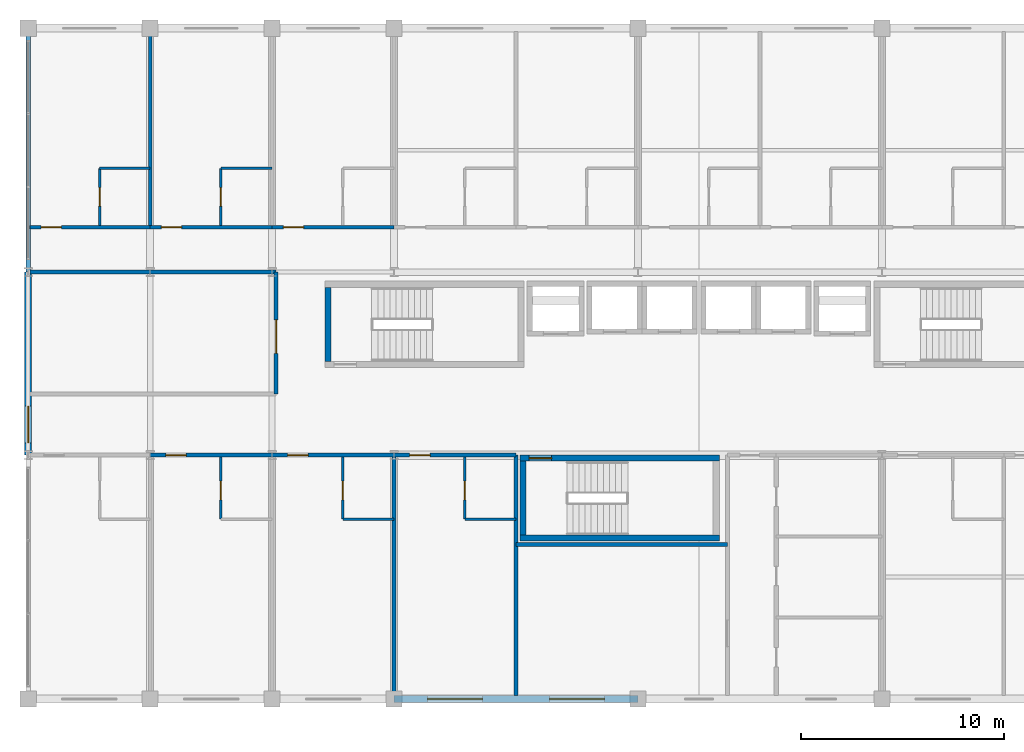
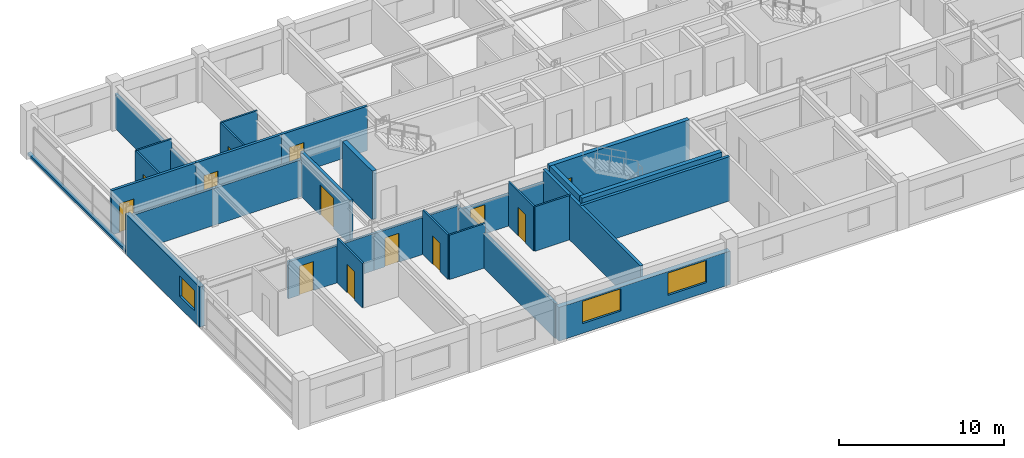
# One storey, part 21 of 26: 28 walls, 13 doors, 3 windows, 16 openings.
"""IFC4 building model written with IfcOpenShell, lengths in metres."""

from ifc_helpers import new_model, si_unit, direction, frame, frame_2d, origin, place, context, subcontext, project, spatial, rectangle, extrude, material, layer, layer_set, type_object, element, fill, save


model = new_model("IFC4")

# Units and contexts
model_context = context("Model", 3, precision=1e-05, world=origin(), true_north=direction((0.0, 1.0)))
body_context = subcontext(model_context, "Body", "Model", "MODEL_VIEW")
ifc_project = project(units=[si_unit("LENGTHUNIT", "METRE"), si_unit("AREAUNIT", "SQUARE_METRE"), si_unit("VOLUMEUNIT", "CUBIC_METRE"), si_unit("PLANEANGLEUNIT", "RADIAN"), si_unit("MASSUNIT", "GRAM", prefix="KILO")], contexts=[model_context])

# Site, building, storey
site_placement = place(None, origin())
site = spatial("IfcSite", under=ifc_project, at=site_placement, CompositionType="ELEMENT")
building_placement = place(site_placement, origin())
building = spatial("IfcBuilding", under=site, at=building_placement, Name="Kaldorvane Square Convention Centre", CompositionType="ELEMENT")
storey_placement = place(building_placement, frame((0.0, 0.0, 45.600006103515625)))
storey = spatial("IfcBuildingStorey", under=building, at=storey_placement, Name="L10", CompositionType="ELEMENT", Elevation=45.600006103515625)

# Wall, opening, door
ifc_material_1 = material(Name="Fire-Rated Gypsum Board on Acoustic Steel Studs", Category="steel")
ifc_layer_1 = layer(ifc_material_1, 0.125)
ifc_layer_set_1 = layer_set([ifc_layer_1], Name="Fire-Rated Gypsum Board on Acoustic Steel Studs")
wall_type_1 = type_object("IfcWallType", Name="WL-BATH-125", PredefinedType="PARTITIONING", material=ifc_layer_set_1)
wall_1_placement = place(storey_placement, frame((27.520004272460938, 107.28999328613281, 0.0), z_axis=(0.0, 0.0, 1.0), x_axis=(0.0, 1.0, 0.0)))
wall_1 = element("IfcWall", 1, at=wall_1_placement, inside=storey, type_object=wall_type_1, Name="En-Suite 1001 West Wall", PredefinedType="PARTITIONING", context=body_context, shape_type="SweptSolid", body=[
    extrude(rectangle(XDim=2.8100128173828125, YDim=0.125, at=frame_2d((1.404998779296875, 0.0))), origin(), (0.0, 0.0, 1.0), 3.2899932861328125),
])
opening_1_placement = place(wall_1_placement, frame((0.9499969482421875, 0.0, 0.0)))
opening_1 = element("IfcOpeningElement", 2, at=opening_1_placement, cuts=wall_1, Name="Opening ID-12", PredefinedType="OPENING", context=body_context, shape_type="SweptSolid", body=[
    extrude(rectangle(XDim=0.9199981689453125, YDim=2.100006103515625, at=frame_2d((0.459991455078125, 1.0500030517578125))), frame((0.0, 0.0774993896484375, 0.0), z_axis=(0.0, -1.0, 0.0), x_axis=(1.0, 0.0, 0.0)), (0.0, 0.0, 1.0), 0.154998779296875),
])
ifc_material_2 = material(Name="Architectural Solid-Core White Oak")
door_type_1 = type_object("IfcDoorType", Name="DR-BATH-0920X2100", OperationType="SINGLE_SWING_RIGHT", PredefinedType="DOOR", material=ifc_material_2)
door_1_placement = place(opening_1_placement, origin())
door_1 = element("IfcDoor", 3, at=door_1_placement, inside=storey, type_object=door_type_1, Name="En-Suite Bathroom 1001 Door", OperationType="SINGLE_SWING_RIGHT", OverallHeight=2.100006103515625, OverallWidth=0.9199981689453125, PredefinedType="DOOR", context=body_context, shape_type="SweptSolid", body=[
    extrude(rectangle(XDim=0.9199981689453125, YDim=2.100006103515625, at=frame_2d((0.459991455078125, 1.0500030517578125))), frame((0.0, 0.024993896484375, 0.0), z_axis=(0.0, -1.0, 0.0), x_axis=(1.0, 0.0, 0.0)), (0.0, 0.0, 1.0), 0.0500030517578125),
])
fill(opening_1, door_1)

# Wall
wall_2_placement = place(storey_placement, frame((27.520004272460938, 110.10000610351562, 0.0), z_axis=(0.0, 0.0, 1.0), x_axis=(1.0, 0.0, 0.0)))
element("IfcWall", 4, at=wall_2_placement, inside=storey, type_object=wall_type_1, Name="En-Suite 1001 North Wall", PredefinedType="PARTITIONING", context=body_context, shape_type="SweptSolid", body=[
    extrude(rectangle(XDim=2.4799957275390625, YDim=0.125, at=frame_2d((1.239990234375, 0.0))), origin(), (0.0, 0.0, 1.0), 3.2899932861328125),
])

# Wall, opening, door
wall_3_placement = place(storey_placement, frame((33.47999572753906, 107.28999328613281, 0.0), z_axis=(0.0, 0.0, 1.0), x_axis=(0.0, 1.0, 0.0)))
wall_3 = element("IfcWall", 5, at=wall_3_placement, inside=storey, type_object=wall_type_1, Name="En-Suite 1002 West Wall", PredefinedType="PARTITIONING", context=body_context, shape_type="SweptSolid", body=[
    extrude(rectangle(XDim=2.8100128173828125, YDim=0.125, at=frame_2d((1.404998779296875, 0.0))), origin(), (0.0, 0.0, 1.0), 3.2899932861328125),
])
opening_2_placement = place(wall_3_placement, frame((0.9499969482421875, 0.0, 0.0)))
opening_2 = element("IfcOpeningElement", 6, at=opening_2_placement, cuts=wall_3, Name="Opening ID-12", PredefinedType="OPENING", context=body_context, shape_type="SweptSolid", body=[
    extrude(rectangle(XDim=0.9199981689453125, YDim=2.100006103515625, at=frame_2d((0.459991455078125, 1.0500030517578125))), frame((0.0, 0.0774993896484375, 0.0), z_axis=(0.0, -1.0, 0.0), x_axis=(1.0, 0.0, 0.0)), (0.0, 0.0, 1.0), 0.154998779296875),
])
door_2_placement = place(opening_2_placement, origin())
door_2 = element("IfcDoor", 7, at=door_2_placement, inside=storey, type_object=door_type_1, Name="En-Suite Bathroom 1002 Door", OperationType="SINGLE_SWING_RIGHT", OverallHeight=2.100006103515625, OverallWidth=0.9199981689453125, PredefinedType="DOOR", context=body_context, shape_type="SweptSolid", body=[
    extrude(rectangle(XDim=0.9199981689453125, YDim=2.100006103515625, at=frame_2d((0.459991455078125, 1.0500030517578125))), frame((0.0, 0.024993896484375, 0.0), z_axis=(0.0, -1.0, 0.0), x_axis=(1.0, 0.0, 0.0)), (0.0, 0.0, 1.0), 0.0500030517578125),
])
fill(opening_2, door_2)

# Wall
wall_4_placement = place(storey_placement, frame((33.47999572753906, 110.10000610351562, 0.0), z_axis=(0.0, 0.0, 1.0), x_axis=(1.0, 0.0, 0.0)))
element("IfcWall", 8, at=wall_4_placement, inside=storey, type_object=wall_type_1, Name="En-Suite 1002 North Wall", PredefinedType="PARTITIONING", context=body_context, shape_type="SweptSolid", body=[
    extrude(rectangle(XDim=2.5200042724609375, YDim=0.125, at=frame_2d((1.260009765625, 0.0))), origin(), (0.0, 0.0, 1.0), 3.2899932861328125),
])

# Wall, opening, door
wall_5_placement = place(storey_placement, frame((33.47999572753906, 92.85000610351562, 0.0), z_axis=(0.0, 0.0, 1.0), x_axis=(0.0, 1.0, 0.0)))
wall_5 = element("IfcWall", 9, at=wall_5_placement, inside=storey, type_object=wall_type_1, Name="En-Suite 1012 West Wall", PredefinedType="PARTITIONING", context=body_context, shape_type="SweptSolid", body=[
    extrude(rectangle(XDim=3.05999755859375, YDim=0.125, at=frame_2d((1.529998779296875, 0.0))), origin(), (0.0, 0.0, 1.0), 3.2899932861328125),
])
opening_3_placement = place(wall_5_placement, frame((0.9499969482421875, 0.0, 0.0)))
opening_3 = element("IfcOpeningElement", 10, at=opening_3_placement, cuts=wall_5, Name="Opening ID-12", PredefinedType="OPENING", context=body_context, shape_type="SweptSolid", body=[
    extrude(rectangle(XDim=0.9199981689453125, YDim=2.100006103515625, at=frame_2d((0.459991455078125, 1.0500030517578125))), frame((0.0, 0.0774993896484375, 0.0), z_axis=(0.0, -1.0, 0.0), x_axis=(1.0, 0.0, 0.0)), (0.0, 0.0, 1.0), 0.154998779296875),
])
door_3_placement = place(opening_3_placement, origin())
door_3 = element("IfcDoor", 11, at=door_3_placement, inside=storey, type_object=door_type_1, Name="En-Suite Bathroom 1012 Door", OperationType="SINGLE_SWING_RIGHT", OverallHeight=2.100006103515625, OverallWidth=0.9199981689453125, PredefinedType="DOOR", context=body_context, shape_type="SweptSolid", body=[
    extrude(rectangle(XDim=0.9199981689453125, YDim=2.100006103515625, at=frame_2d((0.459991455078125, 1.0500030517578125))), frame((0.0, 0.024993896484375, 0.0), z_axis=(0.0, -1.0, 0.0), x_axis=(1.0, 0.0, 0.0)), (0.0, 0.0, 1.0), 0.0500030517578125),
])
fill(opening_3, door_3)

wall_6_placement = place(storey_placement, frame((39.47999572753906, 92.85000610351562, 0.0), z_axis=(0.0, 0.0, 1.0), x_axis=(0.0, 1.0, 0.0)))
wall_6 = element("IfcWall", 12, at=wall_6_placement, inside=storey, type_object=wall_type_1, Name="En-Suite 1013 West Wall", PredefinedType="PARTITIONING", context=body_context, shape_type="SweptSolid", body=[
    extrude(rectangle(XDim=3.05999755859375, YDim=0.125, at=frame_2d((1.529998779296875, 0.0))), origin(), (0.0, 0.0, 1.0), 3.2899932861328125),
])
opening_4_placement = place(wall_6_placement, frame((0.9499969482421875, 0.0, 0.0)))
opening_4 = element("IfcOpeningElement", 13, at=opening_4_placement, cuts=wall_6, Name="Opening ID-12", PredefinedType="OPENING", context=body_context, shape_type="SweptSolid", body=[
    extrude(rectangle(XDim=0.9199981689453125, YDim=2.100006103515625, at=frame_2d((0.459991455078125, 1.0500030517578125))), frame((0.0, 0.0774993896484375, 0.0), z_axis=(0.0, -1.0, 0.0), x_axis=(1.0, 0.0, 0.0)), (0.0, 0.0, 1.0), 0.154998779296875),
])
door_4_placement = place(opening_4_placement, origin())
door_4 = element("IfcDoor", 14, at=door_4_placement, inside=storey, type_object=door_type_1, Name="En-Suite Bathroom 1013 Door", OperationType="SINGLE_SWING_RIGHT", OverallHeight=2.100006103515625, OverallWidth=0.9199981689453125, PredefinedType="DOOR", context=body_context, shape_type="SweptSolid", body=[
    extrude(rectangle(XDim=0.9199981689453125, YDim=2.100006103515625, at=frame_2d((0.459991455078125, 1.0500030517578125))), frame((0.0, 0.024993896484375, 0.0), z_axis=(0.0, -1.0, 0.0), x_axis=(1.0, 0.0, 0.0)), (0.0, 0.0, 1.0), 0.0500030517578125),
])
fill(opening_4, door_4)

# Wall
wall_7_placement = place(storey_placement, frame((39.47999572753906, 92.85000610351562, 0.0), z_axis=(0.0, 0.0, 1.0), x_axis=(1.0, 0.0, 0.0)))
element("IfcWall", 15, at=wall_7_placement, inside=storey, type_object=wall_type_1, Name="En-Suite 1013 South Wall", PredefinedType="PARTITIONING", context=body_context, shape_type="SweptSolid", body=[
    extrude(rectangle(XDim=2.5200042724609375, YDim=0.125, at=frame_2d((1.260009765625, 0.0))), origin(), (0.0, 0.0, 1.0), 3.2899932861328125),
])

# Wall, opening, door
wall_8_placement = place(storey_placement, frame((45.47999572753906, 92.85000610351562, 0.0), z_axis=(0.0, 0.0, 1.0), x_axis=(0.0, 1.0, 0.0)))
wall_8 = element("IfcWall", 16, at=wall_8_placement, inside=storey, type_object=wall_type_1, Name="En-Suite 1014 West Wall", PredefinedType="PARTITIONING", context=body_context, shape_type="SweptSolid", body=[
    extrude(rectangle(XDim=3.05999755859375, YDim=0.125, at=frame_2d((1.529998779296875, 0.0))), origin(), (0.0, 0.0, 1.0), 3.2899932861328125),
])
opening_5_placement = place(wall_8_placement, frame((0.9499969482421875, 0.0, 0.0)))
opening_5 = element("IfcOpeningElement", 17, at=opening_5_placement, cuts=wall_8, Name="Opening ID-12", PredefinedType="OPENING", context=body_context, shape_type="SweptSolid", body=[
    extrude(rectangle(XDim=0.9199981689453125, YDim=2.100006103515625, at=frame_2d((0.459991455078125, 1.0500030517578125))), frame((0.0, 0.0774993896484375, 0.0), z_axis=(0.0, -1.0, 0.0), x_axis=(1.0, 0.0, 0.0)), (0.0, 0.0, 1.0), 0.154998779296875),
])
door_5_placement = place(opening_5_placement, origin())
door_5 = element("IfcDoor", 18, at=door_5_placement, inside=storey, type_object=door_type_1, Name="En-Suite Bathroom 1014 Door", OperationType="SINGLE_SWING_RIGHT", OverallHeight=2.100006103515625, OverallWidth=0.9199981689453125, PredefinedType="DOOR", context=body_context, shape_type="SweptSolid", body=[
    extrude(rectangle(XDim=0.9199981689453125, YDim=2.100006103515625, at=frame_2d((0.459991455078125, 1.0500030517578125))), frame((0.0, 0.024993896484375, 0.0), z_axis=(0.0, -1.0, 0.0), x_axis=(1.0, 0.0, 0.0)), (0.0, 0.0, 1.0), 0.0500030517578125),
])
fill(opening_5, door_5)

# Walls
wall_9_placement = place(storey_placement, frame((45.47999572753906, 92.85000610351562, 0.0), z_axis=(0.0, 0.0, 1.0), x_axis=(1.0, 0.0, 0.0)))
element("IfcWall", 19, at=wall_9_placement, inside=storey, type_object=wall_type_1, Name="En-Suite 1014 South Wall", PredefinedType="PARTITIONING", context=body_context, shape_type="SweptSolid", body=[
    extrude(rectangle(XDim=2.5200042724609375, YDim=0.125, at=frame_2d((1.260009765625, 0.0))), origin(), (0.0, 0.0, 1.0), 3.2899932861328125),
])
ifc_layer_2 = layer(ifc_material_1, 0.1999969482421875)
ifc_layer_set_2 = layer_set([ifc_layer_2], Name="Fire-Rated Gypsum Board on Acoustic Steel Studs")
wall_type_2 = type_object("IfcWallType", Name="WL-CORR-200", PredefinedType="PARTITIONING", material=ifc_layer_set_2)
wall_10_placement = place(storey_placement, frame((48.0, 91.60000610351562, 0.0), z_axis=(0.0, 0.0, 1.0), x_axis=(1.0, 0.0, 0.0)))
element("IfcWall", 20, at=wall_10_placement, inside=storey, type_object=wall_type_2, Name="Housekeeping North Wall (L10)", PredefinedType="PARTITIONING", context=body_context, shape_type="SweptSolid", body=[
    extrude(rectangle(XDim=10.399993896484375, YDim=0.1999969482421875, at=frame_2d((5.1999969482421875, 0.0))), origin(), (0.0, 0.0, 1.0), 3.2899932861328125),
])
wall_11_placement = place(storey_placement, frame((48.0, 84.17500305175781, 0.0), z_axis=(0.0, 0.0, 1.0), x_axis=(0.0, 1.0, 0.0)))
element("IfcWall", 21, at=wall_11_placement, inside=storey, type_object=wall_type_2, Name="Service Block West Wall (L10)", PredefinedType="PARTITIONING", context=body_context, shape_type="SweptSolid", body=[
    extrude(rectangle(XDim=11.824996948242188, YDim=0.1999969482421875, at=frame_2d((5.912506103515625, 0.0))), origin(), (0.0, 0.0, 1.0), 3.2899932861328125),
])

# Wall, opening, door
wall_12_placement = place(storey_placement, frame((36.19999694824219, 99.0, 0.0), z_axis=(0.0, 0.0, 1.0), x_axis=(0.0, 1.0, 0.0)))
wall_12 = element("IfcWall", 22, at=wall_12_placement, inside=storey, type_object=wall_type_2, Name="West Sunset Sitting Alcove (L10) E Wall", PredefinedType="PARTITIONING", context=body_context, shape_type="SweptSolid", body=[
    extrude(rectangle(XDim=6.0, YDim=0.1999969482421875, at=frame_2d((3.0, 0.0))), origin(), (0.0, 0.0, 1.0), 3.2899932861328125),
])
opening_6_placement = place(wall_12_placement, frame((2.0, 0.0, 0.0)))
opening_6 = element("IfcOpeningElement", 23, at=opening_6_placement, cuts=wall_12, Name="Opening ID-16", PredefinedType="OPENING", context=body_context, shape_type="SweptSolid", body=[
    extrude(rectangle(XDim=1.649993896484375, YDim=2.25, at=frame_2d((0.8249969482421875, 1.125))), frame((0.0, 0.114990234375, 0.0), z_axis=(0.0, -1.0, 0.0), x_axis=(1.0, 0.0, 0.0)), (0.0, 0.0, 1.0), 0.2299957275390625),
])
ifc_material_3 = material(Name="Acoustic Laminated Glass in Aluminum Frame", Category="aluminium")
door_type_2 = type_object("IfcDoorType", Name="DR-GL-1650X2250", OperationType="DOUBLE_DOOR_SINGLE_SWING", PredefinedType="DOOR", material=ifc_material_3)
door_6_placement = place(opening_6_placement, origin())
door_6 = element("IfcDoor", 24, at=door_6_placement, inside=storey, type_object=door_type_2, Name="West Sunset Sitting Alcove (L10) Door 1", OperationType="DOUBLE_DOOR_SINGLE_SWING", OverallHeight=2.25, OverallWidth=1.649993896484375, PredefinedType="DOOR", context=body_context, shape_type="SweptSolid", body=[
    extrude(rectangle(XDim=1.649993896484375, YDim=2.25, at=frame_2d((0.8249969482421875, 1.125))), frame((0.0, 0.024993896484375, 0.0), z_axis=(0.0, -1.0, 0.0), x_axis=(1.0, 0.0, 0.0)), (0.0, 0.0, 1.0), 0.0500030517578125),
])
fill(opening_6, door_6)

# Wall
wall_13_placement = place(storey_placement, frame((36.19999694824219, 105.0, 0.0), z_axis=(0.0, 0.0, 1.0), x_axis=(-1.0, 0.0, 0.0)))
element("IfcWall", 25, at=wall_13_placement, inside=storey, type_object=wall_type_2, Name="West Sunset Sitting Alcove (L10) N Wall", PredefinedType="PARTITIONING", context=body_context, shape_type="SweptSolid", body=[
    extrude(rectangle(XDim=12.114990234375, YDim=0.1999969482421875, at=frame_2d((6.0574951171875, 0.0))), origin(), (0.0, 0.0, 1.0), 2.735992431640625),
])

# Wall, openings, windows
ifc_material_4 = material(Name="Concrete f'c = 42 MPa (Normalweight)", Category="concrete")
ifc_layer_3 = layer(ifc_material_4, 0.350006103515625)
ifc_layer_set_3 = layer_set([ifc_layer_3], Name="Concrete f'c = 42 MPa (Normalweight)")
wall_type_3 = type_object("IfcWallType", Name="WL-EXT-350", PredefinedType="STANDARD", material=ifc_layer_set_3)
wall_14_placement = place(storey_placement, frame((42.0, 84.0, 0.0), z_axis=(0.0, 0.0, 1.0), x_axis=(1.0, 0.0, 0.0)))
wall_14 = element("IfcWall", 26, at=wall_14_placement, inside=storey, type_object=wall_type_3, Name="Hotel S Brutalist Facade Wall (L10)", PredefinedType="STANDARD", context=body_context, shape_type="SweptSolid", body=[
    extrude(rectangle(XDim=12.0, YDim=0.350006103515625, at=frame_2d((6.0, 0.0))), origin(), (0.0, 0.0, 1.0), 2.485992431640625),
])
opening_7_placement = place(wall_14_placement, frame((1.649993896484375, 0.0, 0.720001220703125)))
opening_7 = element("IfcOpeningElement", 27, at=opening_7_placement, cuts=wall_14, Name="Opening W-03", PredefinedType="OPENING", context=body_context, shape_type="SweptSolid", body=[
    extrude(rectangle(XDim=2.6999969482421875, YDim=1.649993896484375, at=frame_2d((1.350006103515625, 0.8249969482421875))), frame((0.0, 0.19000244140625, 0.0), z_axis=(0.0, -1.0, 0.0), x_axis=(1.0, 0.0, 0.0)), (0.0, 0.0, 1.0), 0.3800048828125),
])
opening_8_placement = place(wall_14_placement, frame((7.649993896484375, 0.0, 0.720001220703125)))
opening_8 = element("IfcOpeningElement", 28, at=opening_8_placement, cuts=wall_14, Name="Opening W-03", PredefinedType="OPENING", context=body_context, shape_type="SweptSolid", body=[
    extrude(rectangle(XDim=2.6999969482421875, YDim=1.649993896484375, at=frame_2d((1.350006103515625, 0.8249969482421875))), frame((0.0, 0.19000244140625, 0.0), z_axis=(0.0, -1.0, 0.0), x_axis=(1.0, 0.0, 0.0)), (0.0, 0.0, 1.0), 0.3800048828125),
])
ifc_material_5 = material(Name="Anodized Aluminum and Low-E Insulated Glazing", Category="aluminium")
window_type_1 = type_object("IfcWindowType", Name="WN-HTL-2700X1650", PartitioningType="TRIPLE_PANEL_VERTICAL", PredefinedType="WINDOW", material=ifc_material_5)
window_1_placement = place(opening_7_placement, origin())
window_1 = element("IfcWindow", 29, at=window_1_placement, inside=storey, type_object=window_type_1, Name="Hotel S Window (L10)", OverallHeight=1.649993896484375, OverallWidth=2.6999969482421875, PartitioningType="TRIPLE_PANEL_VERTICAL", PredefinedType="WINDOW", context=body_context, shape_type="SweptSolid", body=[
    extrude(rectangle(XDim=2.6999969482421875, YDim=1.649993896484375, at=frame_2d((1.350006103515625, 0.8249969482421875))), frame((0.0, 0.029998779296875, 0.0), z_axis=(0.0, -1.0, 0.0), x_axis=(1.0, 0.0, 0.0)), (0.0, 0.0, 1.0), 0.05999755859375),
])
fill(opening_7, window_1)
window_2_placement = place(opening_8_placement, origin())
window_2 = element("IfcWindow", 30, at=window_2_placement, inside=storey, type_object=window_type_1, Name="Hotel S Window (L10)", OverallHeight=1.649993896484375, OverallWidth=2.6999969482421875, PartitioningType="TRIPLE_PANEL_VERTICAL", PredefinedType="WINDOW", context=body_context, shape_type="SweptSolid", body=[
    extrude(rectangle(XDim=2.6999969482421875, YDim=1.649993896484375, at=frame_2d((1.350006103515625, 0.8249969482421875))), frame((0.0, 0.029998779296875, 0.0), z_axis=(0.0, -1.0, 0.0), x_axis=(1.0, 0.0, 0.0)), (0.0, 0.0, 1.0), 0.05999755859375),
])
fill(opening_8, window_2)

# Wall, opening, window
wall_15_placement = place(storey_placement, frame((24.0, 105.0, 0.0), z_axis=(0.0, 0.0, 1.0), x_axis=(0.0, -1.0, 0.0)))
wall_15 = element("IfcWall", 31, at=wall_15_placement, inside=storey, type_object=wall_type_3, Name="Hotel W End Wall (L10)", PredefinedType="STANDARD", context=body_context, shape_type="SweptSolid", body=[
    extrude(rectangle(XDim=9.0, YDim=0.350006103515625, at=frame_2d((4.5, 0.0))), origin(), (0.0, 0.0, 1.0), 2.980987548828125),
])
opening_9_placement = place(wall_15_placement, frame((6.600006103515625, 0.0, 0.850006103515625)))
opening_9 = element("IfcOpeningElement", 32, at=opening_9_placement, cuts=wall_15, Name="Opening W-11", PredefinedType="OPENING", context=body_context, shape_type="SweptSolid", body=[
    extrude(rectangle(XDim=1.8000030517578125, YDim=1.5, at=frame_2d((0.899993896484375, 0.75))), frame((0.0, 0.19000244140625, 0.0), z_axis=(0.0, -1.0, 0.0), x_axis=(1.0, 0.0, 0.0)), (0.0, 0.0, 1.0), 0.3800048828125),
])
window_type_2 = type_object("IfcWindowType", Name="WN-HTL-1800X1500", PartitioningType="SINGLE_PANEL", PredefinedType="WINDOW", material=ifc_material_5)
window_3_placement = place(opening_9_placement, origin())
window_3 = element("IfcWindow", 33, at=window_3_placement, inside=storey, type_object=window_type_2, Name="Hotel End Window W (L10)", OverallHeight=1.5, OverallWidth=1.8000030517578125, PartitioningType="SINGLE_PANEL", PredefinedType="WINDOW", context=body_context, shape_type="SweptSolid", body=[
    extrude(rectangle(XDim=1.8000030517578125, YDim=1.5, at=frame_2d((0.899993896484375, 0.75))), frame((0.0, 0.029998779296875, 0.0), z_axis=(0.0, -1.0, 0.0), x_axis=(1.0, 0.0, 0.0)), (0.0, 0.0, 1.0), 0.05999755859375),
])
fill(opening_9, window_3)

# Walls
ifc_material_6 = material(Name="Concrete f'c = 35 MPa (Normalweight)", Category="concrete")
ifc_layer_4 = layer(ifc_material_6, 0.220001220703125)
ifc_layer_set_4 = layer_set([ifc_layer_4], Name="Concrete f'c = 35 MPa (Normalweight)")
wall_type_4 = type_object("IfcWallType", Name="WL-PAR-220", PredefinedType="PARAPET", material=ifc_layer_set_4)
wall_16_placement = place(storey_placement, frame((24.0, 117.0, 0.0), z_axis=(0.0, 0.0, 1.0), x_axis=(0.0, -1.0, 0.0)))
element("IfcWall", 34, at=wall_16_placement, inside=storey, type_object=wall_type_4, Name="Hotel End Curtain-Wall Sill (L10)", PredefinedType="PARAPET", context=body_context, shape_type="SweptSolid", body=[
    extrude(rectangle(XDim=12.0, YDim=0.220001220703125, at=frame_2d((6.0, 0.0))), origin(), (0.0, 0.0, 1.0), 0.1999969482421875),
])
ifc_material_7 = material(Name="Concrete f'c = 55 MPa (Normalweight)", Category="concrete")
ifc_layer_5 = layer(ifc_material_7, 0.3000030517578125)
ifc_layer_set_5 = layer_set([ifc_layer_5], Name="Concrete f'c = 55 MPa (Normalweight)")
wall_type_5 = type_object("IfcWallType", Name="WL-SHAFT-300", PredefinedType="SHEAR", material=ifc_layer_set_5)
wall_17_placement = place(storey_placement, frame((38.75, 104.25, 0.0), z_axis=(0.0, 0.0, 1.0), x_axis=(0.0, -1.0, 0.0)))
element("IfcWall", 35, at=wall_17_placement, inside=storey, type_object=wall_type_5, Name="Core Enclosure Wall stair:ST-T1-W (L10)", PredefinedType="SHEAR", context=body_context, shape_type="SweptSolid", body=[
    extrude(rectangle(XDim=3.6399993896484375, YDim=0.3000030517578125, at=frame_2d((1.82000732421875, 0.0))), origin(), (0.0, 0.0, 1.0), 3.5999908447265625),
])
wall_18_placement = place(storey_placement, frame((48.19999694824219, 91.91000366210938, 0.0), z_axis=(0.0, 0.0, 1.0), x_axis=(1.0, 0.0, 0.0)))
element("IfcWall", 36, at=wall_18_placement, inside=storey, type_object=wall_type_5, Name="Core Enclosure Wall stair:ST-T3-S (L10)", PredefinedType="SHEAR", context=body_context, shape_type="SweptSolid", body=[
    extrude(rectangle(XDim=9.800003051757812, YDim=0.3000030517578125, at=frame_2d((4.899993896484375, 0.0))), origin(), (0.0, 0.0, 1.0), 3.5999908447265625),
])

# Wall, opening, door
wall_19_placement = place(storey_placement, frame((58.0, 95.85000610351562, 0.0), z_axis=(0.0, 0.0, 1.0), x_axis=(-1.0, 0.0, 0.0)))
wall_19 = element("IfcWall", 37, at=wall_19_placement, inside=storey, type_object=wall_type_5, Name="Core Enclosure Wall stair:ST-T3-N (L10)", PredefinedType="SHEAR", context=body_context, shape_type="SweptSolid", body=[
    extrude(rectangle(XDim=9.800003051757812, YDim=0.3000030517578125, at=frame_2d((4.899993896484375, 0.0))), origin(), (0.0, 0.0, 1.0), 3.5999908447265625),
])
opening_10_placement = place(wall_19_placement, frame((8.25, 0.0, 0.0)))
opening_10 = element("IfcOpeningElement", 38, at=opening_10_placement, cuts=wall_19, Name="Opening FD90-S1", PredefinedType="OPENING", context=body_context, shape_type="SweptSolid", body=[
    extrude(rectangle(XDim=1.100006103515625, YDim=2.1999969482421875, at=frame_2d((0.5500030517578125, 1.100006103515625))), frame((0.0, 0.165008544921875, 0.0), z_axis=(0.0, -1.0, 0.0), x_axis=(1.0, 0.0, 0.0)), (0.0, 0.0, 1.0), 0.3300018310546875),
])
ifc_material_8 = material(Name="Fire-Rated Hollow Metal Steel", Category="steel")
door_type_3 = type_object("IfcDoorType", Name="DR-STAIR-1100", OperationType="SINGLE_SWING_RIGHT", PredefinedType="DOOR", material=ifc_material_8)
door_7_placement = place(opening_10_placement, origin())
door_7 = element("IfcDoor", 39, at=door_7_placement, inside=storey, type_object=door_type_3, Name="Tower Exit Stair T3 Fire Door (L10)", OperationType="SINGLE_SWING_RIGHT", OverallHeight=2.1999969482421875, OverallWidth=1.100006103515625, PredefinedType="DOOR", context=body_context, shape_type="SweptSolid", body=[
    extrude(rectangle(XDim=1.100006103515625, YDim=2.1999969482421875, at=frame_2d((0.5500030517578125, 1.100006103515625))), frame((0.0, 0.024993896484375, 0.0), z_axis=(0.0, -1.0, 0.0), x_axis=(1.0, 0.0, 0.0)), (0.0, 0.0, 1.0), 0.0500030517578125),
])
fill(opening_10, door_7)

# Wall
wall_20_placement = place(storey_placement, frame((48.350006103515625, 95.69999694824219, 0.0), z_axis=(0.0, 0.0, 1.0), x_axis=(0.0, -1.0, 0.0)))
element("IfcWall", 40, at=wall_20_placement, inside=storey, type_object=wall_type_5, Name="Core Enclosure Wall stair:ST-T3-W (L10)", PredefinedType="SHEAR", context=body_context, shape_type="SweptSolid", body=[
    extrude(rectangle(XDim=3.6399993896484375, YDim=0.3000030517578125, at=frame_2d((1.82000732421875, 0.0))), origin(), (0.0, 0.0, 1.0), 3.5999908447265625),
])

# Wall, opening, door
ifc_layer_6 = layer(ifc_material_1, 0.17999267578125)
ifc_layer_set_6 = layer_set([ifc_layer_6], Name="Fire-Rated Gypsum Board on Acoustic Steel Studs")
wall_type_6 = type_object("IfcWallType", Name="WL-UNIT-180", PredefinedType="PARTITIONING", material=ifc_layer_set_6)
wall_21_placement = place(storey_placement, frame((24.085006713867188, 107.19999694824219, 0.0), z_axis=(0.0, 0.0, 1.0), x_axis=(1.0, 0.0, 0.0)))
wall_21 = element("IfcWall", 41, at=wall_21_placement, inside=storey, type_object=wall_type_6, Name="Hotel Guest Room 1001 Corridor Wall", PredefinedType="PARTITIONING", context=body_context, shape_type="SweptSolid", body=[
    extrude(rectangle(XDim=5.9149932861328125, YDim=0.17999267578125, at=frame_2d((2.957489013671875, 0.0))), origin(), (0.0, 0.0, 1.0), 3.2899932861328125),
])
opening_11_placement = place(wall_21_placement, frame((0.5500030517578125, 0.0, 0.0)))
opening_11 = element("IfcOpeningElement", 42, at=opening_11_placement, cuts=wall_21, Name="Opening ID-10", PredefinedType="OPENING", context=body_context, shape_type="SweptSolid", body=[
    extrude(rectangle(XDim=1.0, YDim=2.149993896484375, at=frame_2d((0.5, 1.0749969482421875))), frame((0.0, 0.1049957275390625, 0.0), z_axis=(0.0, -1.0, 0.0), x_axis=(1.0, 0.0, 0.0)), (0.0, 0.0, 1.0), 0.209991455078125),
])
door_type_4 = type_object("IfcDoorType", Name="DR-GUEST-1000X2150", OperationType="SINGLE_SWING_LEFT", PredefinedType="DOOR", material=ifc_material_2)
door_8_placement = place(opening_11_placement, origin())
door_8 = element("IfcDoor", 43, at=door_8_placement, inside=storey, type_object=door_type_4, Name="Hotel Guest Room 1001 Entry Door", OperationType="SINGLE_SWING_LEFT", OverallHeight=2.149993896484375, OverallWidth=1.0, PredefinedType="DOOR", context=body_context, shape_type="SweptSolid", body=[
    extrude(rectangle(XDim=1.0, YDim=2.149993896484375, at=frame_2d((0.5, 1.0749969482421875))), frame((0.0, 0.024993896484375, 0.0), z_axis=(0.0, -1.0, 0.0), x_axis=(1.0, 0.0, 0.0)), (0.0, 0.0, 1.0), 0.0500030517578125),
])
fill(opening_11, door_8)

# Wall
wall_22_placement = place(storey_placement, frame((30.0, 107.19999694824219, 0.0), z_axis=(0.0, 0.0, 1.0), x_axis=(0.0, 1.0, 0.0)))
element("IfcWall", 44, at=wall_22_placement, inside=storey, type_object=wall_type_6, Name="Guestroom Demising Wall 1001", PredefinedType="PARTITIONING", context=body_context, shape_type="SweptSolid", body=[
    extrude(rectangle(XDim=9.625, YDim=0.17999267578125, at=frame_2d((4.8125, 0.0))), origin(), (0.0, 0.0, 1.0), 2.589996337890625),
])

# Wall, opening, door
wall_23_placement = place(storey_placement, frame((30.0, 107.19999694824219, 0.0), z_axis=(0.0, 0.0, 1.0), x_axis=(1.0, 0.0, 0.0)))
wall_23 = element("IfcWall", 45, at=wall_23_placement, inside=storey, type_object=wall_type_6, Name="Hotel Guest Room 1002 Corridor Wall", PredefinedType="PARTITIONING", context=body_context, shape_type="SweptSolid", body=[
    extrude(rectangle(XDim=6.0, YDim=0.17999267578125, at=frame_2d((3.0, 0.0))), origin(), (0.0, 0.0, 1.0), 3.2899932861328125),
])
opening_12_placement = place(wall_23_placement, frame((0.5500030517578125, 0.0, 0.0)))
opening_12 = element("IfcOpeningElement", 46, at=opening_12_placement, cuts=wall_23, Name="Opening ID-10", PredefinedType="OPENING", context=body_context, shape_type="SweptSolid", body=[
    extrude(rectangle(XDim=1.0, YDim=2.149993896484375, at=frame_2d((0.5, 1.0749969482421875))), frame((0.0, 0.1049957275390625, 0.0), z_axis=(0.0, -1.0, 0.0), x_axis=(1.0, 0.0, 0.0)), (0.0, 0.0, 1.0), 0.209991455078125),
])
door_9_placement = place(opening_12_placement, origin())
door_9 = element("IfcDoor", 47, at=door_9_placement, inside=storey, type_object=door_type_4, Name="Hotel Guest Room 1002 Entry Door", OperationType="SINGLE_SWING_LEFT", OverallHeight=2.149993896484375, OverallWidth=1.0, PredefinedType="DOOR", context=body_context, shape_type="SweptSolid", body=[
    extrude(rectangle(XDim=1.0, YDim=2.149993896484375, at=frame_2d((0.5, 1.0749969482421875))), frame((0.0, 0.024993896484375, 0.0), z_axis=(0.0, -1.0, 0.0), x_axis=(1.0, 0.0, 0.0)), (0.0, 0.0, 1.0), 0.0500030517578125),
])
fill(opening_12, door_9)

wall_24_placement = place(storey_placement, frame((36.0, 107.19999694824219, 0.0), z_axis=(0.0, 0.0, 1.0), x_axis=(1.0, 0.0, 0.0)))
wall_24 = element("IfcWall", 48, at=wall_24_placement, inside=storey, type_object=wall_type_6, Name="Hotel Guest Room 1003 Corridor Wall", PredefinedType="PARTITIONING", context=body_context, shape_type="SweptSolid", body=[
    extrude(rectangle(XDim=6.0, YDim=0.17999267578125, at=frame_2d((3.0, 0.0))), origin(), (0.0, 0.0, 1.0), 3.2899932861328125),
])
opening_13_placement = place(wall_24_placement, frame((0.5500030517578125, 0.0, 0.0)))
opening_13 = element("IfcOpeningElement", 49, at=opening_13_placement, cuts=wall_24, Name="Opening ID-10", PredefinedType="OPENING", context=body_context, shape_type="SweptSolid", body=[
    extrude(rectangle(XDim=1.0, YDim=2.149993896484375, at=frame_2d((0.5, 1.0749969482421875))), frame((0.0, 0.1049957275390625, 0.0), z_axis=(0.0, -1.0, 0.0), x_axis=(1.0, 0.0, 0.0)), (0.0, 0.0, 1.0), 0.209991455078125),
])
door_10_placement = place(opening_13_placement, origin())
door_10 = element("IfcDoor", 50, at=door_10_placement, inside=storey, type_object=door_type_4, Name="Hotel Guest Room 1003 Entry Door", OperationType="SINGLE_SWING_LEFT", OverallHeight=2.149993896484375, OverallWidth=1.0, PredefinedType="DOOR", context=body_context, shape_type="SweptSolid", body=[
    extrude(rectangle(XDim=1.0, YDim=2.149993896484375, at=frame_2d((0.5, 1.0749969482421875))), frame((0.0, 0.024993896484375, 0.0), z_axis=(0.0, -1.0, 0.0), x_axis=(1.0, 0.0, 0.0)), (0.0, 0.0, 1.0), 0.0500030517578125),
])
fill(opening_13, door_10)

wall_25_placement = place(storey_placement, frame((30.0, 96.0, 0.0), z_axis=(0.0, 0.0, 1.0), x_axis=(1.0, 0.0, 0.0)))
wall_25 = element("IfcWall", 51, at=wall_25_placement, inside=storey, type_object=wall_type_6, Name="Hotel Guest Room 1012 Corridor Wall", PredefinedType="PARTITIONING", context=body_context, shape_type="SweptSolid", body=[
    extrude(rectangle(XDim=6.0, YDim=0.17999267578125, at=frame_2d((3.0, 0.0))), origin(), (0.0, 0.0, 1.0), 2.735992431640625),
])
opening_14_placement = place(wall_25_placement, frame((0.7700042724609375, 0.0, 0.0)))
opening_14 = element("IfcOpeningElement", 52, at=opening_14_placement, cuts=wall_25, Name="Opening ID-10", PredefinedType="OPENING", context=body_context, shape_type="SweptSolid", body=[
    extrude(rectangle(XDim=1.0, YDim=2.149993896484375, at=frame_2d((0.5, 1.0749969482421875))), frame((0.0, 0.1049957275390625, 0.0), z_axis=(0.0, -1.0, 0.0), x_axis=(1.0, 0.0, 0.0)), (0.0, 0.0, 1.0), 0.209991455078125),
])
door_11_placement = place(opening_14_placement, origin())
door_11 = element("IfcDoor", 53, at=door_11_placement, inside=storey, type_object=door_type_4, Name="Hotel Guest Room 1012 Entry Door", OperationType="SINGLE_SWING_LEFT", OverallHeight=2.149993896484375, OverallWidth=1.0, PredefinedType="DOOR", context=body_context, shape_type="SweptSolid", body=[
    extrude(rectangle(XDim=1.0, YDim=2.149993896484375, at=frame_2d((0.5, 1.0749969482421875))), frame((0.0, 0.024993896484375, 0.0), z_axis=(0.0, -1.0, 0.0), x_axis=(1.0, 0.0, 0.0)), (0.0, 0.0, 1.0), 0.0500030517578125),
])
fill(opening_14, door_11)

wall_26_placement = place(storey_placement, frame((36.0, 96.0, 0.0), z_axis=(0.0, 0.0, 1.0), x_axis=(1.0, 0.0, 0.0)))
wall_26 = element("IfcWall", 54, at=wall_26_placement, inside=storey, type_object=wall_type_6, Name="Hotel Guest Room 1013 Corridor Wall", PredefinedType="PARTITIONING", context=body_context, shape_type="SweptSolid", body=[
    extrude(rectangle(XDim=6.0, YDim=0.17999267578125, at=frame_2d((3.0, 0.0))), origin(), (0.0, 0.0, 1.0), 2.735992431640625),
])
opening_15_placement = place(wall_26_placement, frame((0.7700042724609375, 0.0, 0.0)))
opening_15 = element("IfcOpeningElement", 55, at=opening_15_placement, cuts=wall_26, Name="Opening ID-10", PredefinedType="OPENING", context=body_context, shape_type="SweptSolid", body=[
    extrude(rectangle(XDim=1.0, YDim=2.149993896484375, at=frame_2d((0.5, 1.0749969482421875))), frame((0.0, 0.1049957275390625, 0.0), z_axis=(0.0, -1.0, 0.0), x_axis=(1.0, 0.0, 0.0)), (0.0, 0.0, 1.0), 0.209991455078125),
])
door_12_placement = place(opening_15_placement, origin())
door_12 = element("IfcDoor", 56, at=door_12_placement, inside=storey, type_object=door_type_4, Name="Hotel Guest Room 1013 Entry Door", OperationType="SINGLE_SWING_LEFT", OverallHeight=2.149993896484375, OverallWidth=1.0, PredefinedType="DOOR", context=body_context, shape_type="SweptSolid", body=[
    extrude(rectangle(XDim=1.0, YDim=2.149993896484375, at=frame_2d((0.5, 1.0749969482421875))), frame((0.0, 0.024993896484375, 0.0), z_axis=(0.0, -1.0, 0.0), x_axis=(1.0, 0.0, 0.0)), (0.0, 0.0, 1.0), 0.0500030517578125),
])
fill(opening_15, door_12)

# Wall
wall_27_placement = place(storey_placement, frame((42.0, 84.17500305175781, 0.0), z_axis=(0.0, 0.0, 1.0), x_axis=(0.0, 1.0, 0.0)))
element("IfcWall", 57, at=wall_27_placement, inside=storey, type_object=wall_type_6, Name="Guestroom Demising Wall 1013", PredefinedType="PARTITIONING", context=body_context, shape_type="SweptSolid", body=[
    extrude(rectangle(XDim=11.824996948242188, YDim=0.17999267578125, at=frame_2d((5.912506103515625, 0.0))), origin(), (0.0, 0.0, 1.0), 2.589996337890625),
])

# Wall, opening, door
wall_28_placement = place(storey_placement, frame((42.0, 96.0, 0.0), z_axis=(0.0, 0.0, 1.0), x_axis=(1.0, 0.0, 0.0)))
wall_28 = element("IfcWall", 58, at=wall_28_placement, inside=storey, type_object=wall_type_6, Name="Hotel Guest Room 1014 Corridor Wall", PredefinedType="PARTITIONING", context=body_context, shape_type="SweptSolid", body=[
    extrude(rectangle(XDim=6.0, YDim=0.17999267578125, at=frame_2d((3.0, 0.0))), origin(), (0.0, 0.0, 1.0), 2.3589935302734375),
])
opening_16_placement = place(wall_28_placement, frame((0.7700042724609375, 0.0, 0.0)))
opening_16 = element("IfcOpeningElement", 59, at=opening_16_placement, cuts=wall_28, Name="Opening ID-10", PredefinedType="OPENING", context=body_context, shape_type="SweptSolid", body=[
    extrude(rectangle(XDim=1.0, YDim=2.149993896484375, at=frame_2d((0.5, 1.0749969482421875))), frame((0.0, 0.1049957275390625, 0.0), z_axis=(0.0, -1.0, 0.0), x_axis=(1.0, 0.0, 0.0)), (0.0, 0.0, 1.0), 0.209991455078125),
])
door_13_placement = place(opening_16_placement, origin())
door_13 = element("IfcDoor", 60, at=door_13_placement, inside=storey, type_object=door_type_4, Name="Hotel Guest Room 1014 Entry Door", OperationType="SINGLE_SWING_LEFT", OverallHeight=2.149993896484375, OverallWidth=1.0, PredefinedType="DOOR", context=body_context, shape_type="SweptSolid", body=[
    extrude(rectangle(XDim=1.0, YDim=2.149993896484375, at=frame_2d((0.5, 1.0749969482421875))), frame((0.0, 0.024993896484375, 0.0), z_axis=(0.0, -1.0, 0.0), x_axis=(1.0, 0.0, 0.0)), (0.0, 0.0, 1.0), 0.0500030517578125),
])
fill(opening_16, door_13)

save(model, "model.ifc")
